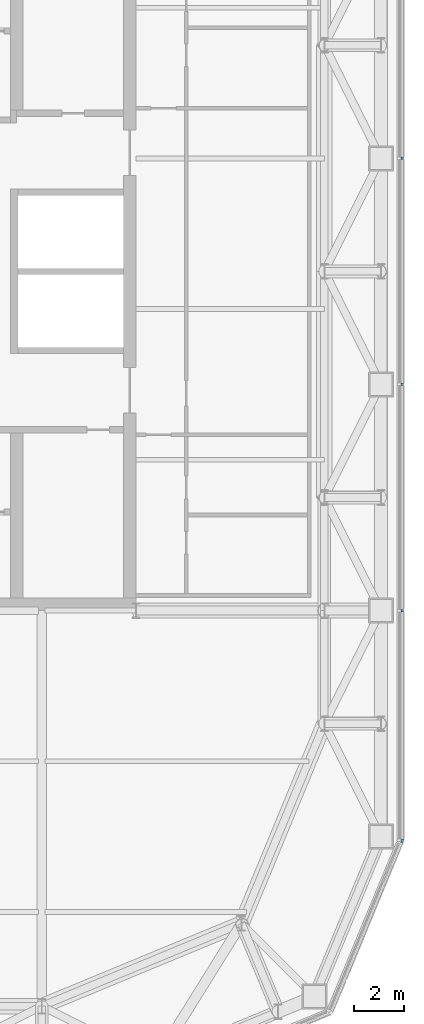
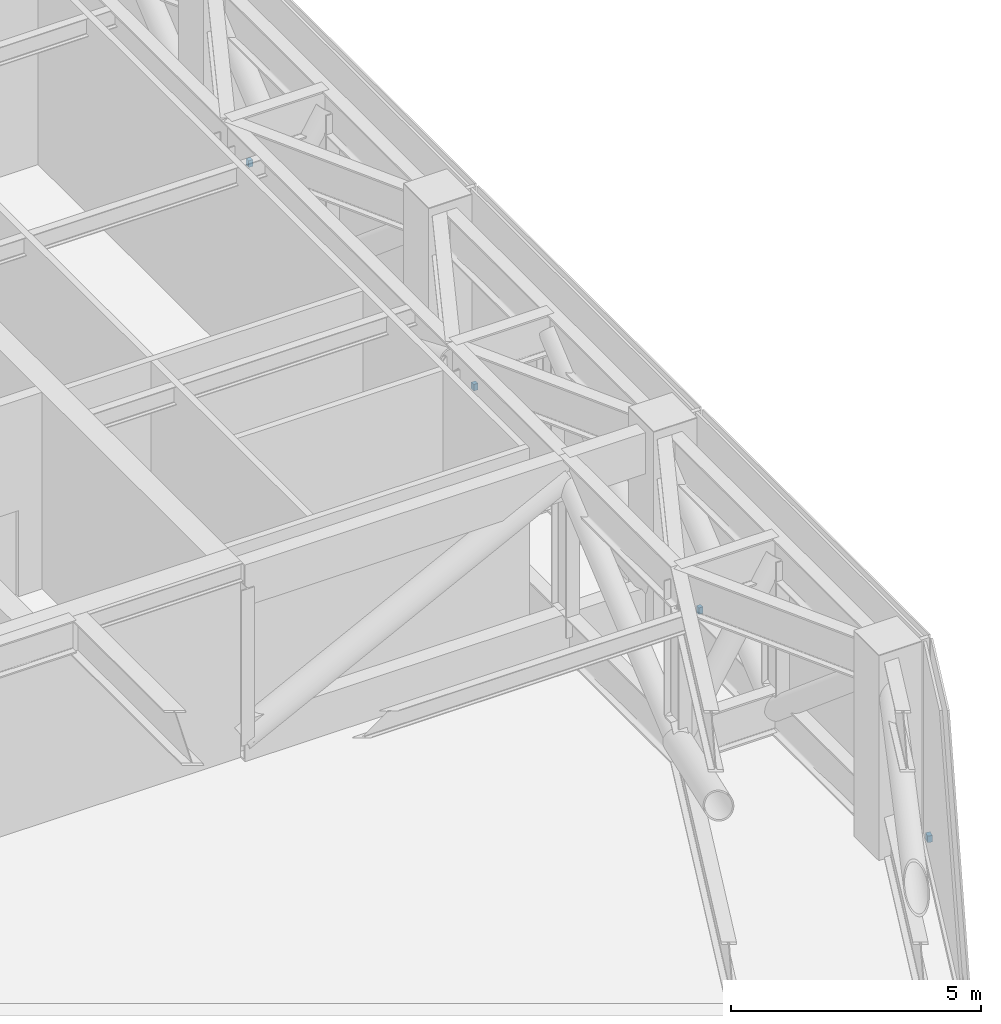
# One storey, part 25 of 33: 4 discrete accessories.
"""IFC4 building model written with IfcOpenShell, lengths in metres."""

from ifc_helpers import new_model, si_unit, direction, frame, origin, origin_2d, place, context, subcontext, project, spatial, rectangle, extrude, material, type_object, element, save


model = new_model("IFC4")

# Units and contexts
model_context = context("Model", 3, precision=1e-05, world=origin(), true_north=direction((0.0, 1.0)))
body_context = subcontext(model_context, "Body", "Model", "MODEL_VIEW")
ifc_project = project(units=[si_unit("LENGTHUNIT", "METRE"), si_unit("AREAUNIT", "SQUARE_METRE"), si_unit("VOLUMEUNIT", "CUBIC_METRE"), si_unit("PLANEANGLEUNIT", "RADIAN"), si_unit("MASSUNIT", "GRAM", prefix="KILO")], contexts=[model_context])

# Site, building, storey
site_placement = place(None, origin())
site = spatial("IfcSite", under=ifc_project, at=site_placement, CompositionType="ELEMENT")
building_placement = place(site_placement, origin())
building = spatial("IfcBuilding", under=site, at=building_placement, Name="Siwar Civic Tower", CompositionType="ELEMENT")
storey_placement = place(building_placement, frame((0.0, 0.0, 94.199951171875)))
storey = spatial("IfcBuildingStorey", under=building, at=storey_placement, Name="L20", CompositionType="ELEMENT", Elevation=94.199951171875)

# Discrete accessories
ifc_material = material(Name="Stainless steel 316", Category="steel")
discrete_accessory_type = type_object("IfcDiscreteAccessoryType", Name="ENV-BRACKET", PredefinedType="BRACKET", material=ifc_material)
for number, where, z_axis, x_axis, name in (
    (1, (32.35009765625, -13.5, -0.1796875), (0.0, 0.0, 1.0), (1.0, 0.0, 0.0), "Bracket outer skin joint E-01"),
    (2, (32.35009765625, -4.5, -0.1796875), (0.0, 0.0, 1.0), (1.0, 0.0, 0.0), "Bracket outer skin joint E-02"),
    (3, (32.35009765625, 4.5, -0.1796875), (0.0, 0.0, 1.0), (1.0, 0.0, 0.0), "Bracket outer skin joint E-03"),
):
    element("IfcDiscreteAccessory", number, at=place(storey_placement, frame(where, z_axis=z_axis, x_axis=x_axis)), inside=storey, type_object=discrete_accessory_type, Name=name, PredefinedType="BRACKET", context=body_context, shape_type="SweptSolid", body=[
        extrude(rectangle(XDim=0.10009765625, YDim=0.10009765625, at=origin_2d()), origin(), (0.0, 0.0, 1.0), 0.159912109375),
    ])
discrete_accessory_placement = place(storey_placement, frame((32.35009765625, -22.669189453125, -0.1796875), z_axis=(0.0, 0.0, 1.0), x_axis=(0.980785280403, -0.195090322016, 0.0)))
element("IfcDiscreteAccessory", 4, at=discrete_accessory_placement, inside=storey, type_object=discrete_accessory_type, Name="Bracket outer skin joint V03", PredefinedType="BRACKET", context=body_context, shape_type="SweptSolid", body=[
    extrude(rectangle(XDim=0.10205078125, YDim=0.13720703125, at=origin_2d()), origin(), (0.0, 0.0, 1.0), 0.159912109375),
])

save(model, "model.ifc")
